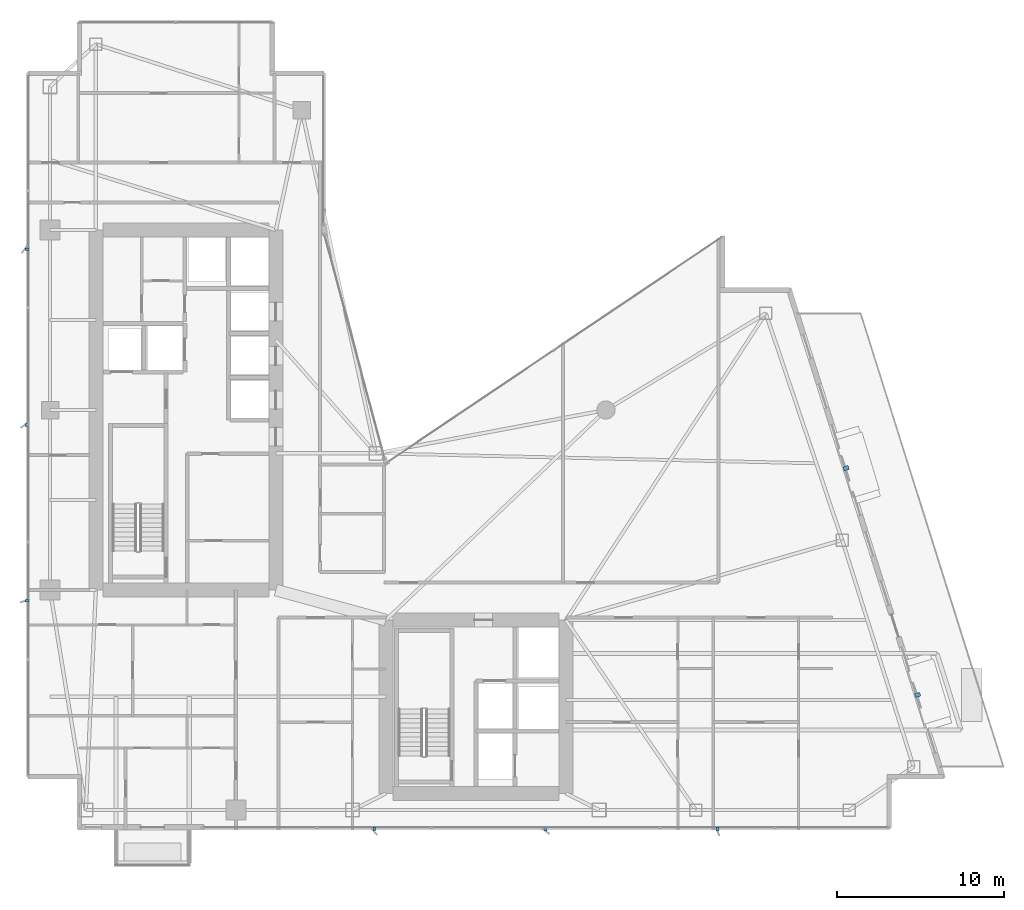
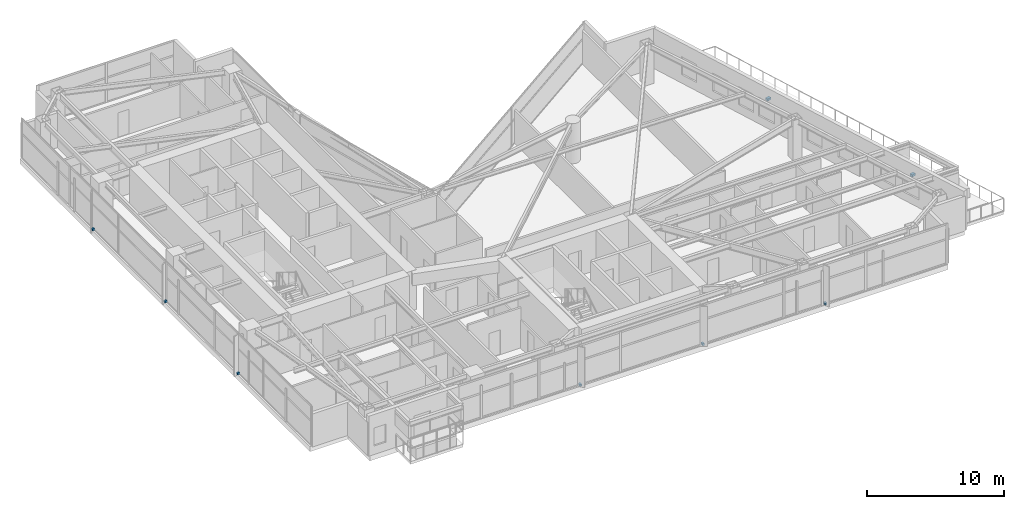
# One storey, part 28 of 30: 8 discrete accessories.
"""IFC4 building model written with IfcOpenShell, lengths in metres."""

from ifc_helpers import new_model, si_unit, direction, frame, origin, origin_2d, place, context, subcontext, project, spatial, rectangle, extrude, material, type_object, element, save


model = new_model("IFC4")

# Units and contexts
model_context = context("Model", 3, precision=1e-05, world=origin(), true_north=direction((0.0, 1.0)))
body_context = subcontext(model_context, "Body", "Model", "MODEL_VIEW")
ifc_project = project(units=[si_unit("LENGTHUNIT", "METRE"), si_unit("AREAUNIT", "SQUARE_METRE"), si_unit("VOLUMEUNIT", "CUBIC_METRE"), si_unit("PLANEANGLEUNIT", "RADIAN"), si_unit("MASSUNIT", "GRAM", prefix="KILO")], contexts=[model_context])

# Site, building, storey
site_placement = place(None, origin())
site = spatial("IfcSite", under=ifc_project, at=site_placement, CompositionType="ELEMENT")
building_placement = place(site_placement, origin())
building = spatial("IfcBuilding", under=site, at=building_placement, Name="Calvorn Quay Hotel", CompositionType="ELEMENT")
storey_placement = place(building_placement, frame((0.0, 0.0, 191.300048828125)))
storey = spatial("IfcBuildingStorey", under=building, at=storey_placement, Name="L47", CompositionType="ELEMENT", Elevation=191.300048828125)

# Discrete accessories
ifc_material = material(Name="Steel Q355B", Category="steel")
discrete_accessory_type = type_object("IfcDiscreteAccessoryType", Name="ACC-FIN-BRACKET", PredefinedType="BRACKET", material=ifc_material)
for number, where, z_axis, x_axis, name in (
    (1, (0.06005859375, 16.14990234375, 0.02978515625), (0.0, 0.0, 1.0), (1.0, 0.0, 0.0), "Fin Anchor Bracket L47-W01"),
    (2, (0.06005859375, 26.699951171875, 0.02978515625), (0.0, 0.0, 1.0), (1.0, 0.0, 0.0), "Fin Anchor Bracket L47-W02"),
    (3, (0.06005859375, 37.25, 0.02978515625), (0.0, 0.0, 1.0), (1.0, 0.0, 0.0), "Fin Anchor Bracket L47-W03"),
    (4, (20.89990234375, 2.4599609375, 0.02978515625), (0.0, 0.0, 1.0), (0.0, 1.0, 0.0), "Fin Anchor Bracket L47-S01"),
    (5, (31.199951171875, 2.4599609375, 0.02978515625), (0.0, 0.0, 1.0), (0.0, 1.0, 0.0), "Fin Anchor Bracket L47-S02"),
    (6, (41.5, 2.4599609375, 0.02978515625), (0.0, 0.0, 1.0), (0.0, 1.0, 0.0), "Fin Anchor Bracket L47-S03"),
):
    element("IfcDiscreteAccessory", number, at=place(storey_placement, frame(where, z_axis=z_axis, x_axis=x_axis)), inside=storey, type_object=discrete_accessory_type, Name=name, PredefinedType="BRACKET", context=body_context, shape_type="SweptSolid", body=[
        extrude(rectangle(XDim=0.239990234375, YDim=0.159912109375, at=origin_2d()), origin(), (0.0, 0.0, 1.0), 0.179931640625),
    ])
for number, where, z_axis, x_axis, name in (
    (7, (53.4951171875, 10.511962890625, 2.3701171875), (0.0, 0.0, 1.0), (0.957319497532, 0.289031796944, 0.0), "Bay Hood Support Bracket L47-HOOD-1"),
    (8, (49.2099609375, 24.112060546875, 2.3701171875), (0.0, 0.0, 1.0), (0.957319497532, 0.289031796944, 0.0), "Bay Hood Support Bracket L47-HOOD-3"),
):
    element("IfcDiscreteAccessory", number, at=place(storey_placement, frame(where, z_axis=z_axis, x_axis=x_axis)), inside=storey, type_object=discrete_accessory_type, Name=name, PredefinedType="BRACKET", context=body_context, shape_type="SweptSolid", body=[
        extrude(rectangle(XDim=0.320068359375, YDim=0.239990234375, at=origin_2d()), origin(), (0.0, 0.0, 1.0), 0.199951171875),
    ])

save(model, "model.ifc")
